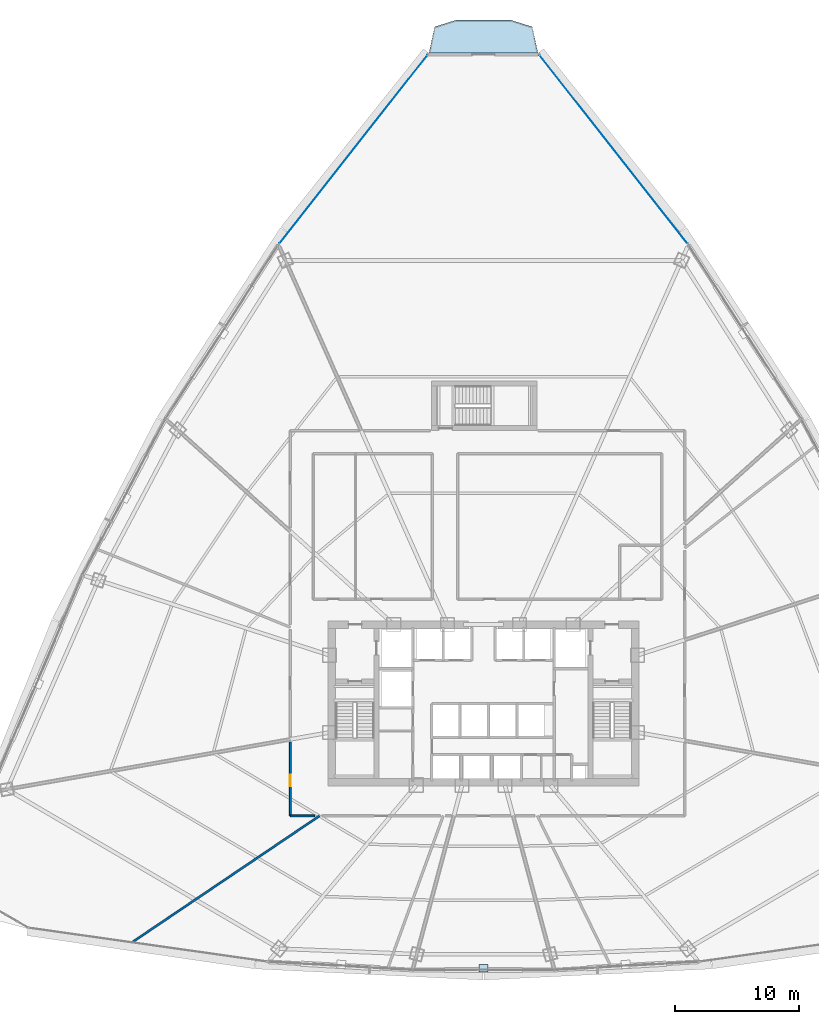
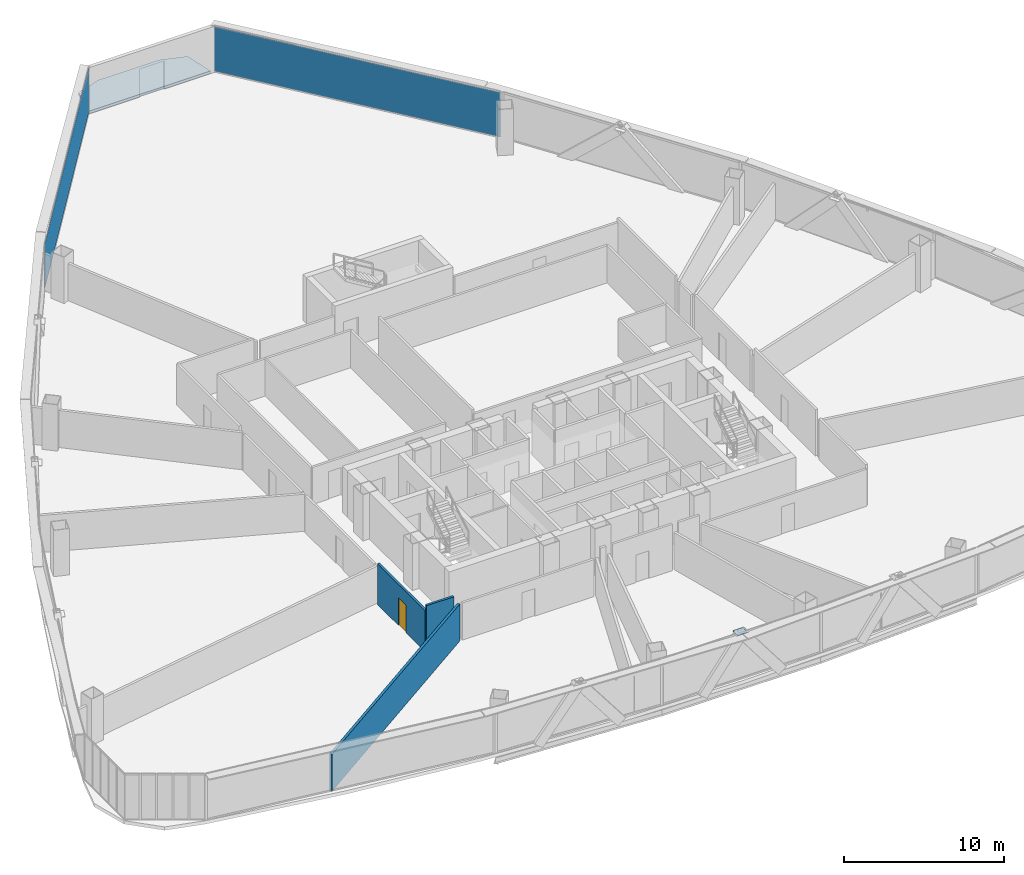
# One storey, part 33 of 41: 3 plates, 3 walls, 1 door, 1 slab, 1 opening, 2 elements without a shape of their own.
"""IFC4 building model written with IfcOpenShell, lengths in metres."""

import ifcopenshell
import ifcopenshell.guid

model = None  # the IFC model being written
_history = None  # IfcOwnerHistory: only IFC2X3 demands one
_inside = {}  # id of a spatial element -> (the spatial element, [elements in it])
_under = {}  # id of a project, library or spatial element -> (it, [spatial elements below it])
_declared = {}  # id of a project -> (the project, [libraries it declares])
_typed = {}  # id of a type object -> (the type object, [elements of that type])
_made_of = {}  # id of a material, layer set ... -> (it, [elements and type objects made of it])


def new_model(schema):
    """Start an empty IFC model of exactly this schema.

    Asked for "IFC4X3", IfcOpenShell would pick the latest addendum, in which some entities
    have other attributes; the version numbers below select the first issue.
    IFC2X3 requires an IfcOwnerHistory on every rooted entity: one is made here for all.
    """
    global model, _history
    if schema == "IFC4X3":
        model = ifcopenshell.file(schema_version=(4, 3, 0, 0))
    else:
        model = ifcopenshell.file(schema=schema)
    _inside.clear()
    _under.clear()
    _declared.clear()
    _typed.clear()
    _made_of.clear()
    _history = None
    if model.schema == "IFC2X3":
        org = make("IfcOrganization", Name="unknown")
        user = make(
            "IfcPersonAndOrganization",
            ThePerson=make("IfcPerson", FamilyName="unknown"),
            TheOrganization=org,
        )
        app = make(
            "IfcApplication",
            ApplicationDeveloper=org,
            Version="unknown",
            ApplicationFullName="unknown",
            ApplicationIdentifier="unknown",
        )
        _history = make(
            "IfcOwnerHistory",
            OwningUser=user,
            OwningApplication=app,
            ChangeAction="ADDED",
            CreationDate=0,
        )
    return model


def make(cls, **values):
    """One entity of the class cls with the attributes given. An attribute that is None is left unset."""
    return model.create_entity(
        cls, **{name: value for name, value in values.items() if value is not None}
    )


def rooted(cls, **values):
    """An entity with a GlobalId (a new one), such as an element, a storey or a relation."""
    return make(cls, GlobalId=ifcopenshell.guid.new(), OwnerHistory=_history, **values)


def si_unit(unit_type, name, prefix=None):
    """IfcSIUnit, for example si_unit("LENGTHUNIT", "METRE", prefix="MILLI")."""
    return make("IfcSIUnit", UnitType=unit_type, Prefix=prefix, Name=name)


def assignment(units):
    """IfcUnitAssignment: the units of a project."""
    return None if units is None else make("IfcUnitAssignment", Units=units)


def point(xyz):
    """IfcCartesianPoint."""
    return None if xyz is None else make("IfcCartesianPoint", Coordinates=xyz)


def direction(xyz):
    """IfcDirection."""
    return None if xyz is None else make("IfcDirection", DirectionRatios=xyz)


def frame(location, z_axis=None, x_axis=None):
    """IfcAxis2Placement3D, a coordinate frame: its origin and axes. An axis left out is left unset."""
    return make(
        "IfcAxis2Placement3D",
        Location=point(location),
        Axis=direction(z_axis),
        RefDirection=direction(x_axis),
    )


def frame_2d(location, x_axis=None):
    """IfcAxis2Placement2D, a coordinate frame in the plane: its origin and x axis."""
    return make(
        "IfcAxis2Placement2D", Location=point(location), RefDirection=direction(x_axis)
    )


def origin():
    """The frame at (0, 0, 0) with its axes left unset."""
    return frame((0.0, 0.0, 0.0))


def origin_with_axes():
    """The frame at (0, 0, 0) with the z axis (0, 0, 1) and the x axis (1, 0, 0) written out."""
    return frame((0.0, 0.0, 0.0), z_axis=(0.0, 0.0, 1.0), x_axis=(1.0, 0.0, 0.0))


def origin_2d():
    """The frame at (0, 0) in the plane with its x axis left unset."""
    return frame_2d((0.0, 0.0))


def place(relative_to, where):
    """IfcLocalPlacement: puts the frame where relative to a parent placement (None: the world)."""
    return make(
        "IfcLocalPlacement", PlacementRelTo=relative_to, RelativePlacement=where
    )


def context(
    kind, dimensions, precision=None, world=None, true_north=None, identifier=None
):
    """IfcGeometricRepresentationContext, for example the 3D "Model" context."""
    return make(
        "IfcGeometricRepresentationContext",
        ContextIdentifier=identifier,
        ContextType=kind,
        CoordinateSpaceDimension=dimensions,
        Precision=precision,
        WorldCoordinateSystem=world,
        TrueNorth=true_north,
    )


def subcontext(parent, identifier, kind, view, scale=None):
    """IfcGeometricRepresentationSubContext, for example "Body" below "Model"."""
    return make(
        "IfcGeometricRepresentationSubContext",
        ContextIdentifier=identifier,
        ContextType=kind,
        ParentContext=parent,
        TargetScale=scale,
        TargetView=view,
    )


def project(units=None, contexts=None):
    """IfcProject with its units and contexts."""
    return rooted(
        "IfcProject",
        Name="project",
        RepresentationContexts=contexts,
        UnitsInContext=assignment(units),
    )


def spatial(cls, under=None, at=None, **own):
    """A site, building, storey or space (cls), placed at a placement, below another one or the project."""
    s = rooted(cls, ObjectPlacement=at, **own)
    if under is not None:
        _under.setdefault(under.id(), (under, []))[1].append(s)
    return s


def polyline(points):
    """IfcPolyline through the points."""
    return make("IfcPolyline", Points=[point(p) for p in points])


def profile(cls, at=None, kind="AREA", **sizes):
    """A parametric profile (cls). Its sizes go by their IFC names, for example OverallWidth=200.0."""
    return make(cls, ProfileType=kind, Position=at, **sizes)


def rectangle(**sizes):
    """IfcRectangleProfileDef."""
    return profile("IfcRectangleProfileDef", **sizes)


def outline(outer, holes=None, kind="AREA"):
    """IfcArbitraryClosedProfileDef: a profile drawn as a closed curve; with holes, ...WithVoids."""
    if holes is None:
        return make("IfcArbitraryClosedProfileDef", ProfileType=kind, OuterCurve=outer)
    return make(
        "IfcArbitraryProfileDefWithVoids",
        ProfileType=kind,
        OuterCurve=outer,
        InnerCurves=holes,
    )


def extrude(swept, where, along, depth):
    """IfcExtrudedAreaSolid: the profile swept, set in the frame where, extruded along a direction by depth."""
    return make(
        "IfcExtrudedAreaSolid",
        SweptArea=swept,
        Position=where,
        ExtrudedDirection=direction(along),
        Depth=depth,
    )


def shape(context_of_items, identifier, shape_type, items):
    """IfcShapeRepresentation: the items that make up one representation, for example the "Body"."""
    return make(
        "IfcShapeRepresentation",
        ContextOfItems=context_of_items,
        RepresentationIdentifier=identifier,
        RepresentationType=shape_type,
        Items=items,
    )


def source(mapping_origin, context_of_items, identifier, shape_type, items):
    """IfcRepresentationMap: a shape defined once, which mapped items show again and again."""
    return make(
        "IfcRepresentationMap",
        MappingOrigin=mapping_origin,
        MappedRepresentation=shape(context_of_items, identifier, shape_type, items),
    )


def transform(
    local_origin,
    x_axis=None,
    y_axis=None,
    z_axis=None,
    scale=None,
    scale2=None,
    scale3=None,
    uniform=True,
):
    """IfcCartesianTransformationOperator3D, or its non-uniform kind. x_axis, y_axis, z_axis: its Axis1, 2, 3."""
    if uniform:
        return make(
            "IfcCartesianTransformationOperator3D",
            Axis1=direction(x_axis),
            Axis2=direction(y_axis),
            LocalOrigin=point(local_origin),
            Scale=scale,
            Axis3=direction(z_axis),
        )
    return make(
        "IfcCartesianTransformationOperator3DnonUniform",
        Axis1=direction(x_axis),
        Axis2=direction(y_axis),
        LocalOrigin=point(local_origin),
        Scale=scale,
        Axis3=direction(z_axis),
        Scale2=scale2,
        Scale3=scale3,
    )


def mapped(mapping_source, mapping_target):
    """IfcMappedItem: shows the shape of a source again, moved by a transform."""
    return make(
        "IfcMappedItem", MappingSource=mapping_source, MappingTarget=mapping_target
    )


def material(Name=None, Category=None):
    """IfcMaterial."""
    return make("IfcMaterial", Name=Name, Category=Category)


def layer(
    of_material, thickness, ventilated=None, Name=None, Category=None, Priority=None
):
    """IfcMaterialLayer: one layer of a wall or slab, of a material (None: an air gap)."""
    return make(
        "IfcMaterialLayer",
        Material=of_material,
        LayerThickness=thickness,
        IsVentilated=ventilated,
        Name=Name,
        Category=Category,
        Priority=Priority,
    )


def layer_set(layers, Name=None):
    """IfcMaterialLayerSet."""
    return make("IfcMaterialLayerSet", MaterialLayers=layers, LayerSetName=Name)


def made_of(thing, what):
    """Note that an element or type object is made of a material, layer set ...; save() writes the relation."""
    if what is not None:
        _made_of.setdefault(what.id(), (what, []))[1].append(thing)
    return thing


def type_object(cls, material=None, **own):
    """A type object (cls), such as IfcWallType, which elements share."""
    return made_of(rooted(cls, **own), material)


def element(
    cls,
    number,
    at=None,
    inside=None,
    cuts=None,
    type_object=None,
    material=None,
    context=None,
    identifier="Body",
    shape_type=None,
    held_by="IfcProductDefinitionShape",
    body=None,
    shapes=None,
    **own,
):
    """One element of the class cls, such as IfcWall. Its Tag is "e" and its number.

    at: its placement. inside: the storey or other place that contains it. cuts: it is an
    opening in that element (IfcRelVoidsElement). A single representation is given by context,
    identifier, shape_type and body (its items); several are given by shapes. held_by: the class
    of the entity that holds the representations. save() writes the other relations.
    """
    e = rooted(cls, Tag="e%d" % number, ObjectPlacement=at, **own)
    if body is not None:
        shapes = [shape(context, identifier, shape_type, body)]
    if shapes is not None:
        e.Representation = make(held_by, Representations=shapes)
    if inside is not None:
        _inside.setdefault(inside.id(), (inside, []))[1].append(e)
    if cuts is not None:
        rooted(
            "IfcRelVoidsElement", RelatingBuildingElement=cuts, RelatedOpeningElement=e
        )
    if type_object is not None:
        _typed.setdefault(type_object.id(), (type_object, []))[1].append(e)
    return made_of(e, material)


def fill(opening, filler):
    """IfcRelFillsElement: the door or window that sits in an opening."""
    return rooted(
        "IfcRelFillsElement",
        RelatingOpeningElement=opening,
        RelatedBuildingElement=filler,
    )


def aggregate(whole, parts):
    """IfcRelAggregates: a whole, such as a stair, and the parts it consists of."""
    return rooted("IfcRelAggregates", RelatingObject=whole, RelatedObjects=parts)


def save(model, path):
    """Write the relations noted so far, then the file.

    IfcRelAggregates (storeys below a building ...), IfcRelContainedInSpatialStructure (elements
    in a storey), IfcRelDefinesByType, IfcRelAssociatesMaterial and IfcRelDeclares: one each for
    every whole, place, type object, material and project.
    """
    for whole, parts in _under.values():
        aggregate(whole, parts)
    for where, things in _inside.values():
        rooted(
            "IfcRelContainedInSpatialStructure",
            RelatedElements=things,
            RelatingStructure=where,
        )
    for kind, things in _typed.values():
        rooted("IfcRelDefinesByType", RelatedObjects=things, RelatingType=kind)
    for what, things in _made_of.values():
        rooted("IfcRelAssociatesMaterial", RelatedObjects=things, RelatingMaterial=what)
    for by, libraries in _declared.values():
        rooted("IfcRelDeclares", RelatingContext=by, RelatedDefinitions=libraries)
    model.write(path)


model = new_model("IFC4")

# Units and contexts
model_context = context("Model", 3, precision=1e-05, world=origin(), true_north=direction((0.0, 1.0)))
body_context = subcontext(model_context, "Body", "Model", "MODEL_VIEW")
ifc_project = project(units=[si_unit("LENGTHUNIT", "METRE"), si_unit("AREAUNIT", "SQUARE_METRE"), si_unit("VOLUMEUNIT", "CUBIC_METRE"), si_unit("PLANEANGLEUNIT", "RADIAN"), si_unit("MASSUNIT", "GRAM", prefix="KILO"), si_unit("THERMODYNAMICTEMPERATUREUNIT", "KELVIN"), si_unit("POWERUNIT", "WATT")], contexts=[model_context])

# Site, building, storey
site_placement = place(None, origin())
site = spatial("IfcSite", under=ifc_project, at=site_placement, CompositionType="ELEMENT")
building_placement = place(site_placement, origin())
building = spatial("IfcBuilding", under=site, at=building_placement, Name="Yunzhuo Pagoda Commons", CompositionType="ELEMENT")
storey_placement = place(building_placement, frame((0.0, 0.0, 115.3798828125)))
storey = spatial("IfcBuildingStorey", under=building, at=storey_placement, Name="L29", CompositionType="ELEMENT", Elevation=115.3798828125)

# Slab
ifc_material_1 = material(Name="Concrete C40", Category="concrete")
ifc_layer_1 = layer(ifc_material_1, 0.199951171875)
ifc_layer_set_1 = layer_set([ifc_layer_1], Name="Concrete C40")
slab_type = type_object("IfcSlabType", Name="SL-BAL Vertex Balcony Deck Slab 200", PredefinedType="FLOOR", material=ifc_layer_set_1)
slab_placement = place(storey_placement, frame((0.0, 0.0, -0.199951171875)))
element("IfcSlab", 1, at=slab_placement, inside=storey, type_object=slab_type, Name="L29 corner balcony V3", PredefinedType="FLOOR", context=body_context, shape_type="SweptSolid", body=[
    extrude(outline(polyline([(52.3818359375, 86.208984375), (43.6181640625, 86.208984375), (44.068115234375, 88.303955078125), (45.80908203125, 88.85400390625), (50.19091796875, 88.85400390625), (51.931884765625, 88.303955078125), (52.3818359375, 86.208984375)])), origin(), (0.0, 0.0, 1.0), 0.199951171875),
])

# Plate
ifc_material_2 = material(Name="Structural steel Q355B", Category="steel")
ifc_layer_2 = layer(ifc_material_2, 0.028076171875)
ifc_layer_set_2 = layer_set([ifc_layer_2], Name="Structural steel Q355B")
plate_type_1 = type_object("IfcPlateType", Name="SP-ND1 Lattice Node Cap Plate 800x500x28", PredefinedType="USERDEFINED", material=ifc_layer_set_2)
shared_shape_1 = source(origin(), body_context, "Body", "SweptSolid", [
    extrude(rectangle(XDim=0.699951171875, YDim=0.61328125, at=origin_2d()), origin(), (0.0, 0.0, 1.0), 0.035888671875),
])
plate_1_placement = place(storey_placement, frame((48.0, 12.522705078125, 3.48193359375), z_axis=(0.0, 0.0, 1.0), x_axis=(1.0, 0.0, 0.0)))
element("IfcPlate", 2, at=plate_1_placement, inside=storey, type_object=plate_type_1, Name="L29 setback lattice tie plate F1.2L", ObjectType="STIFFENER_PLATE", PredefinedType="USERDEFINED", context=body_context, shape_type="MappedRepresentation", body=[
    mapped(shared_shape_1, transform((0.0, 0.0, 0.0), scale=1.0)),
])

# Curtain wall, plate
ifc_material_3 = material(Name="Anodized aluminium 6063-T6", Category="aluminium")
ifc_layer_3 = layer(ifc_material_3, 0.1650390625)
ifc_layer_set_3 = layer_set([ifc_layer_3], Name="Anodized aluminium 6063-T6")
curtain_wall_type = type_object("IfcCurtainWallType", Name="CW-LOW Low-Zone Ribbon Curtain Wall", PredefinedType="NOTDEFINED", material=ifc_layer_set_3)
curtain_wall_1_placement = place(storey_placement, origin())
curtain_wall_1 = element("IfcCurtainWall", 3, at=curtain_wall_1_placement, inside=storey, type_object=curtain_wall_type, Name="L29 curtain wall CW-L29-F2B5", PredefinedType="NOTDEFINED")
ifc_material_4 = material(Name="Tempered low-e double glazing", Category="glass")
ifc_layer_4 = layer(ifc_material_4, 0.028076171875)
ifc_layer_set_4 = layer_set([ifc_layer_4], Name="Tempered low-e double glazing")
plate_type_2 = type_object("IfcPlateType", Name="CW-LOW-P Low-E Double Glazing 28", PredefinedType="CURTAIN_PANEL", material=ifc_layer_set_4)
shared_shape_2 = source(origin(), body_context, "Body", "SweptSolid", [
    extrude(rectangle(XDim=19.262451171875, YDim=0.028076171875, at=origin_2d()), origin(), (0.0, 0.0, 1.0), 3.39990234375),
])
plate_2_placement = place(storey_placement, frame((58.46630859375, 78.448974609375, 0.06005859375), z_axis=(0.0, 0.0, 1.0), x_axis=(-0.617727718925, 0.786392055703, 0.0)))
plate_2 = element("IfcPlate", 4, at=plate_2_placement, type_object=plate_type_2, Name="CW panel 1.1", PredefinedType="CURTAIN_PANEL", context=body_context, shape_type="MappedRepresentation", body=[
    mapped(shared_shape_2, transform((0.0, 0.0, 0.0), scale=1.0)),
])
aggregate(curtain_wall_1, [plate_2])

curtain_wall_2_placement = place(storey_placement, origin())
curtain_wall_2 = element("IfcCurtainWall", 5, at=curtain_wall_2_placement, inside=storey, type_object=curtain_wall_type, Name="L29 curtain wall CW-L29-F3B1", PredefinedType="NOTDEFINED")
plate_3_placement = place(storey_placement, frame((37.53369140625, 78.448974609375, 0.06005859375), z_axis=(0.0, 0.0, 1.0), x_axis=(-0.617727718925, -0.786392055703, 0.0)))
plate_3 = element("IfcPlate", 6, at=plate_3_placement, type_object=plate_type_2, Name="CW panel 1.1", PredefinedType="CURTAIN_PANEL", context=body_context, shape_type="MappedRepresentation", body=[
    mapped(shared_shape_2, transform((0.0, 0.0, 0.0), scale=1.0)),
])
aggregate(curtain_wall_2, [plate_3])

# Wall, opening, door
ifc_material_5 = material(Name="Gypsum plasterboard on acoustic stud")
ifc_layer_5 = layer(ifc_material_5, 0.159912109375)
ifc_layer_set_5 = layer_set([ifc_layer_5], Name="Gypsum plasterboard on acoustic stud")
wall_type_1 = type_object("IfcWallType", Name="W-COR1 Tower Rated Corridor Wall 160", PredefinedType="PARTITIONING", material=ifc_layer_set_5)
wall_1_placement = place(storey_placement, frame((32.449951171875, 24.800048828125, 0.0), z_axis=(0.0, 0.0, 1.0), x_axis=(0.0, 1.0, 0.0)))
wall_1 = element("IfcWall", 7, at=wall_1_placement, inside=storey, type_object=wall_type_1, Name="L29 interior wall IW-L29-CWL01", PredefinedType="PARTITIONING", context=body_context, shape_type="SweptSolid", body=[
    extrude(rectangle(XDim=5.9345703125, YDim=0.159912109375, at=frame_2d((2.96728515625, 0.0))), origin(), (0.0, 0.0, 1.0), 3.1201171875),
])
opening_placement = place(wall_1_placement, frame((2.38916015625, 0.0, 0.0)))
opening = element("IfcOpeningElement", 8, at=opening_placement, cuts=wall_1, Name="Opening D-04", PredefinedType="OPENING", context=body_context, shape_type="SweptSolid", body=[
    extrude(rectangle(XDim=0.919921875, YDim=2.10009765625, at=frame_2d((0.4599609375, 1.050048828125))), frame((0.0, 0.08984375, 0.0), z_axis=(0.0, -1.0, 0.0), x_axis=(1.0, 0.0, 0.0)), (0.0, 0.0, 1.0), 0.179931640625),
])
ifc_material_6 = material(Name="Powder-coated aluminium and timber acoustic leaf", Category="wood")
door_type = type_object("IfcDoorType", Name="D-04 Bedroom & Study Interior Door 920x2100", OperationType="NOTDEFINED", PredefinedType="DOOR", material=ifc_material_6)
shared_shape_3 = source(origin(), body_context, "Body", "SweptSolid", [
    extrude(rectangle(XDim=0.919921875, YDim=2.10009765625, at=frame_2d((0.4599609375, 1.050048828125))), frame((0.0, 0.02490234375, 0.0), z_axis=(0.0, -1.0, 0.0), x_axis=(1.0, 0.0, 0.0)), (0.0, 0.0, 1.0), 0.050048828125),
])
door_placement = place(opening_placement, origin_with_axes())
door = element("IfcDoor", 9, at=door_placement, inside=storey, type_object=door_type, Name="L29 seminar room 08 door", OperationType="SINGLE_SWING_LEFT", OverallHeight=2.10009765625, OverallWidth=0.919921875, PredefinedType="DOOR", context=body_context, shape_type="MappedRepresentation", body=[
    mapped(shared_shape_3, transform((0.0, 0.0, 0.0), scale=1.0)),
])
fill(opening, door)

# Walls
wall_2_placement = place(storey_placement, frame((34.411865234375, 24.800048828125, 0.0), z_axis=(0.0, 0.0, 1.0), x_axis=(-1.0, 0.0, 0.0)))
element("IfcWall", 10, at=wall_2_placement, inside=storey, type_object=wall_type_1, Name="L29 interior wall IW-L29-CWL18", PredefinedType="PARTITIONING", context=body_context, shape_type="SweptSolid", body=[
    extrude(rectangle(XDim=1.9619140625, YDim=0.159912109375, at=frame_2d((0.98095703125, 0.0))), origin(), (0.0, 0.0, 1.0), 3.52001953125),
])
ifc_layer_6 = layer(ifc_material_5, 0.179931640625)
ifc_layer_set_6 = layer_set([ifc_layer_6], Name="Gypsum plasterboard on acoustic stud")
wall_type_2 = type_object("IfcWallType", Name="W-PRT2 Acoustic Unit Demising Wall 180", PredefinedType="PARTITIONING", material=ifc_layer_set_6)
wall_3_placement = place(storey_placement, frame((34.80517578125, 24.800048828125, 0.0), z_axis=(0.0, 0.0, 1.0), x_axis=(-0.829033837177, -0.559198441356, 0.0)))
element("IfcWall", 11, at=wall_3_placement, inside=storey, type_object=wall_type_2, Name="L29 interior wall IW-L29-RAD08", PredefinedType="PARTITIONING", context=body_context, shape_type="SweptSolid", body=[
    extrude(rectangle(XDim=18.2158203125, YDim=0.179931640625, at=frame_2d((9.10791015625, 0.0))), origin(), (0.0, 0.0, 1.0), 2.820068359375),
])

save(model, "model.ifc")
